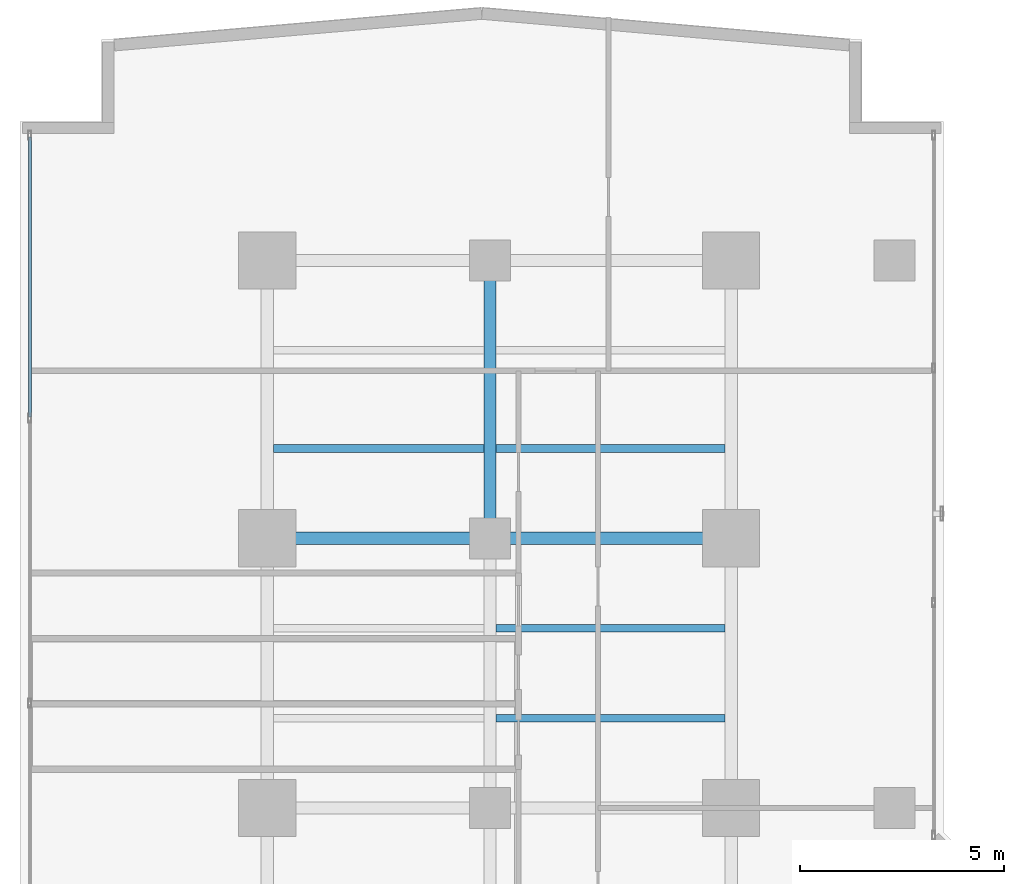
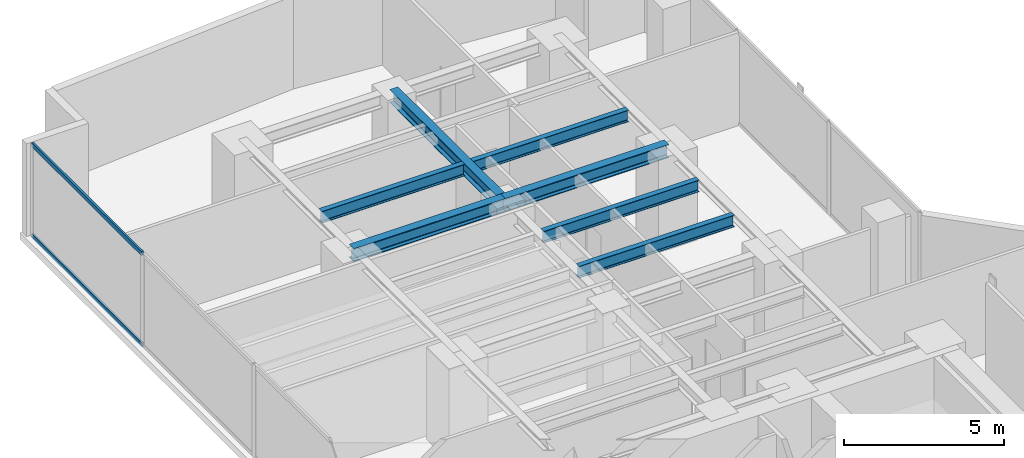
# One storey, part 14 of 26: 7 beams, 2 members, 1 element without a shape of its own.
"""IFC4 building model written with IfcOpenShell, lengths in metres."""

import ifcopenshell
import ifcopenshell.guid

model = None  # the IFC model being written
_history = None  # IfcOwnerHistory: only IFC2X3 demands one
_inside = {}  # id of a spatial element -> (the spatial element, [elements in it])
_under = {}  # id of a project, library or spatial element -> (it, [spatial elements below it])
_declared = {}  # id of a project -> (the project, [libraries it declares])
_typed = {}  # id of a type object -> (the type object, [elements of that type])
_made_of = {}  # id of a material, layer set ... -> (it, [elements and type objects made of it])


def new_model(schema):
    """Start an empty IFC model of exactly this schema.

    Asked for "IFC4X3", IfcOpenShell would pick the latest addendum, in which some entities
    have other attributes; the version numbers below select the first issue.
    IFC2X3 requires an IfcOwnerHistory on every rooted entity: one is made here for all.
    """
    global model, _history
    if schema == "IFC4X3":
        model = ifcopenshell.file(schema_version=(4, 3, 0, 0))
    else:
        model = ifcopenshell.file(schema=schema)
    _inside.clear()
    _under.clear()
    _declared.clear()
    _typed.clear()
    _made_of.clear()
    _history = None
    if model.schema == "IFC2X3":
        org = make("IfcOrganization", Name="unknown")
        user = make(
            "IfcPersonAndOrganization",
            ThePerson=make("IfcPerson", FamilyName="unknown"),
            TheOrganization=org,
        )
        app = make(
            "IfcApplication",
            ApplicationDeveloper=org,
            Version="unknown",
            ApplicationFullName="unknown",
            ApplicationIdentifier="unknown",
        )
        _history = make(
            "IfcOwnerHistory",
            OwningUser=user,
            OwningApplication=app,
            ChangeAction="ADDED",
            CreationDate=0,
        )
    return model


def make(cls, **values):
    """One entity of the class cls with the attributes given. An attribute that is None is left unset."""
    return model.create_entity(
        cls, **{name: value for name, value in values.items() if value is not None}
    )


def rooted(cls, **values):
    """An entity with a GlobalId (a new one), such as an element, a storey or a relation."""
    return make(cls, GlobalId=ifcopenshell.guid.new(), OwnerHistory=_history, **values)


def si_unit(unit_type, name, prefix=None):
    """IfcSIUnit, for example si_unit("LENGTHUNIT", "METRE", prefix="MILLI")."""
    return make("IfcSIUnit", UnitType=unit_type, Prefix=prefix, Name=name)


def assignment(units):
    """IfcUnitAssignment: the units of a project."""
    return None if units is None else make("IfcUnitAssignment", Units=units)


def point(xyz):
    """IfcCartesianPoint."""
    return None if xyz is None else make("IfcCartesianPoint", Coordinates=xyz)


def direction(xyz):
    """IfcDirection."""
    return None if xyz is None else make("IfcDirection", DirectionRatios=xyz)


def frame(location, z_axis=None, x_axis=None):
    """IfcAxis2Placement3D, a coordinate frame: its origin and axes. An axis left out is left unset."""
    return make(
        "IfcAxis2Placement3D",
        Location=point(location),
        Axis=direction(z_axis),
        RefDirection=direction(x_axis),
    )


def frame_2d(location, x_axis=None):
    """IfcAxis2Placement2D, a coordinate frame in the plane: its origin and x axis."""
    return make(
        "IfcAxis2Placement2D", Location=point(location), RefDirection=direction(x_axis)
    )


def origin():
    """The frame at (0, 0, 0) with its axes left unset."""
    return frame((0.0, 0.0, 0.0))


def origin_with_axes():
    """The frame at (0, 0, 0) with the z axis (0, 0, 1) and the x axis (1, 0, 0) written out."""
    return frame((0.0, 0.0, 0.0), z_axis=(0.0, 0.0, 1.0), x_axis=(1.0, 0.0, 0.0))


def origin_2d():
    """The frame at (0, 0) in the plane with its x axis left unset."""
    return frame_2d((0.0, 0.0))


def place(relative_to, where):
    """IfcLocalPlacement: puts the frame where relative to a parent placement (None: the world)."""
    return make(
        "IfcLocalPlacement", PlacementRelTo=relative_to, RelativePlacement=where
    )


def context(
    kind, dimensions, precision=None, world=None, true_north=None, identifier=None
):
    """IfcGeometricRepresentationContext, for example the 3D "Model" context."""
    return make(
        "IfcGeometricRepresentationContext",
        ContextIdentifier=identifier,
        ContextType=kind,
        CoordinateSpaceDimension=dimensions,
        Precision=precision,
        WorldCoordinateSystem=world,
        TrueNorth=true_north,
    )


def subcontext(parent, identifier, kind, view, scale=None):
    """IfcGeometricRepresentationSubContext, for example "Body" below "Model"."""
    return make(
        "IfcGeometricRepresentationSubContext",
        ContextIdentifier=identifier,
        ContextType=kind,
        ParentContext=parent,
        TargetScale=scale,
        TargetView=view,
    )


def project(units=None, contexts=None):
    """IfcProject with its units and contexts."""
    return rooted(
        "IfcProject",
        Name="project",
        RepresentationContexts=contexts,
        UnitsInContext=assignment(units),
    )


def spatial(cls, under=None, at=None, **own):
    """A site, building, storey or space (cls), placed at a placement, below another one or the project."""
    s = rooted(cls, ObjectPlacement=at, **own)
    if under is not None:
        _under.setdefault(under.id(), (under, []))[1].append(s)
    return s


def profile(cls, at=None, kind="AREA", **sizes):
    """A parametric profile (cls). Its sizes go by their IFC names, for example OverallWidth=200.0."""
    return make(cls, ProfileType=kind, Position=at, **sizes)


def hollow_rectangle(**sizes):
    """IfcRectangleHollowProfileDef."""
    return profile("IfcRectangleHollowProfileDef", **sizes)


def i_section(**sizes):
    """IfcIShapeProfileDef."""
    return profile("IfcIShapeProfileDef", **sizes)


def extrude(swept, where, along, depth):
    """IfcExtrudedAreaSolid: the profile swept, set in the frame where, extruded along a direction by depth."""
    return make(
        "IfcExtrudedAreaSolid",
        SweptArea=swept,
        Position=where,
        ExtrudedDirection=direction(along),
        Depth=depth,
    )


def shape(context_of_items, identifier, shape_type, items):
    """IfcShapeRepresentation: the items that make up one representation, for example the "Body"."""
    return make(
        "IfcShapeRepresentation",
        ContextOfItems=context_of_items,
        RepresentationIdentifier=identifier,
        RepresentationType=shape_type,
        Items=items,
    )


def source(mapping_origin, context_of_items, identifier, shape_type, items):
    """IfcRepresentationMap: a shape defined once, which mapped items show again and again."""
    return make(
        "IfcRepresentationMap",
        MappingOrigin=mapping_origin,
        MappedRepresentation=shape(context_of_items, identifier, shape_type, items),
    )


def transform(
    local_origin,
    x_axis=None,
    y_axis=None,
    z_axis=None,
    scale=None,
    scale2=None,
    scale3=None,
    uniform=True,
):
    """IfcCartesianTransformationOperator3D, or its non-uniform kind. x_axis, y_axis, z_axis: its Axis1, 2, 3."""
    if uniform:
        return make(
            "IfcCartesianTransformationOperator3D",
            Axis1=direction(x_axis),
            Axis2=direction(y_axis),
            LocalOrigin=point(local_origin),
            Scale=scale,
            Axis3=direction(z_axis),
        )
    return make(
        "IfcCartesianTransformationOperator3DnonUniform",
        Axis1=direction(x_axis),
        Axis2=direction(y_axis),
        LocalOrigin=point(local_origin),
        Scale=scale,
        Axis3=direction(z_axis),
        Scale2=scale2,
        Scale3=scale3,
    )


def mapped(mapping_source, mapping_target):
    """IfcMappedItem: shows the shape of a source again, moved by a transform."""
    return make(
        "IfcMappedItem", MappingSource=mapping_source, MappingTarget=mapping_target
    )


def material(Name=None, Category=None):
    """IfcMaterial."""
    return make("IfcMaterial", Name=Name, Category=Category)


def layer(
    of_material, thickness, ventilated=None, Name=None, Category=None, Priority=None
):
    """IfcMaterialLayer: one layer of a wall or slab, of a material (None: an air gap)."""
    return make(
        "IfcMaterialLayer",
        Material=of_material,
        LayerThickness=thickness,
        IsVentilated=ventilated,
        Name=Name,
        Category=Category,
        Priority=Priority,
    )


def layer_set(layers, Name=None):
    """IfcMaterialLayerSet."""
    return make("IfcMaterialLayerSet", MaterialLayers=layers, LayerSetName=Name)


def material_profile(
    of_material, cross_section, Name=None, Category=None, Priority=None
):
    """IfcMaterialProfile: a cross section and its material."""
    return make(
        "IfcMaterialProfile",
        Name=Name,
        Material=of_material,
        Profile=cross_section,
        Priority=Priority,
        Category=Category,
    )


def profile_set(profiles, Name=None, composite=None):
    """IfcMaterialProfileSet."""
    return make(
        "IfcMaterialProfileSet",
        Name=Name,
        MaterialProfiles=profiles,
        CompositeProfile=composite,
    )


def made_of(thing, what):
    """Note that an element or type object is made of a material, layer set ...; save() writes the relation."""
    if what is not None:
        _made_of.setdefault(what.id(), (what, []))[1].append(thing)
    return thing


def type_object(cls, material=None, **own):
    """A type object (cls), such as IfcWallType, which elements share."""
    return made_of(rooted(cls, **own), material)


def element(
    cls,
    number,
    at=None,
    inside=None,
    cuts=None,
    type_object=None,
    material=None,
    context=None,
    identifier="Body",
    shape_type=None,
    held_by="IfcProductDefinitionShape",
    body=None,
    shapes=None,
    **own,
):
    """One element of the class cls, such as IfcWall. Its Tag is "e" and its number.

    at: its placement. inside: the storey or other place that contains it. cuts: it is an
    opening in that element (IfcRelVoidsElement). A single representation is given by context,
    identifier, shape_type and body (its items); several are given by shapes. held_by: the class
    of the entity that holds the representations. save() writes the other relations.
    """
    e = rooted(cls, Tag="e%d" % number, ObjectPlacement=at, **own)
    if body is not None:
        shapes = [shape(context, identifier, shape_type, body)]
    if shapes is not None:
        e.Representation = make(held_by, Representations=shapes)
    if inside is not None:
        _inside.setdefault(inside.id(), (inside, []))[1].append(e)
    if cuts is not None:
        rooted(
            "IfcRelVoidsElement", RelatingBuildingElement=cuts, RelatedOpeningElement=e
        )
    if type_object is not None:
        _typed.setdefault(type_object.id(), (type_object, []))[1].append(e)
    return made_of(e, material)


def aggregate(whole, parts):
    """IfcRelAggregates: a whole, such as a stair, and the parts it consists of."""
    return rooted("IfcRelAggregates", RelatingObject=whole, RelatedObjects=parts)


def save(model, path):
    """Write the relations noted so far, then the file.

    IfcRelAggregates (storeys below a building ...), IfcRelContainedInSpatialStructure (elements
    in a storey), IfcRelDefinesByType, IfcRelAssociatesMaterial and IfcRelDeclares: one each for
    every whole, place, type object, material and project.
    """
    for whole, parts in _under.values():
        aggregate(whole, parts)
    for where, things in _inside.values():
        rooted(
            "IfcRelContainedInSpatialStructure",
            RelatedElements=things,
            RelatingStructure=where,
        )
    for kind, things in _typed.values():
        rooted("IfcRelDefinesByType", RelatedObjects=things, RelatingType=kind)
    for what, things in _made_of.values():
        rooted("IfcRelAssociatesMaterial", RelatedObjects=things, RelatingMaterial=what)
    for by, libraries in _declared.values():
        rooted("IfcRelDeclares", RelatingContext=by, RelatedDefinitions=libraries)
    model.write(path)


model = new_model("IFC4")

# Units and contexts
model_context = context("Model", 3, precision=1e-05, world=origin(), true_north=direction((0.0, 1.0)))
body_context = subcontext(model_context, "Body", "Model", "MODEL_VIEW")
ifc_project = project(units=[si_unit("LENGTHUNIT", "METRE"), si_unit("AREAUNIT", "SQUARE_METRE"), si_unit("VOLUMEUNIT", "CUBIC_METRE"), si_unit("PLANEANGLEUNIT", "RADIAN"), si_unit("MASSUNIT", "GRAM", prefix="KILO")], contexts=[model_context])

# Site, building, storey
site_placement = place(None, origin())
site = spatial("IfcSite", under=ifc_project, at=site_placement, CompositionType="ELEMENT")
building_placement = place(site_placement, origin())
building = spatial("IfcBuilding", under=site, at=building_placement, Name="Kolvaren Waterfront Exchange", CompositionType="ELEMENT")
storey_placement = place(building_placement, frame((0.0, 0.0, 87.89990234375)))
storey = spatial("IfcBuildingStorey", under=building, at=storey_placement, Name="L22", CompositionType="ELEMENT", Elevation=87.89990234375)

# Beams
ifc_material_1 = material(Name="Steel S355", Category="steel")
ifc_material_profile_1 = material_profile(ifc_material_1, i_section(OverallWidth=0.300048828125, OverallDepth=0.5, WebThickness=0.014404296875, FlangeThickness=0.028076171875, FilletRadius=0.027099609375, at=origin_2d()), Name="HEB500")
ifc_profile_set_1 = profile_set([ifc_material_profile_1], Name="Steel S355")
beam_type_1 = type_object("IfcBeamType", Name="STR-BM-HEB500", PredefinedType="BEAM", material=ifc_profile_set_1)
beam_1_placement = place(storey_placement, frame((7.449951171875, 37.800048828125, 3.2900390625), z_axis=(1.0, 0.0, 0.0), x_axis=(0.0, 1.0, 0.0)))
element("IfcBeam", 1, at=beam_1_placement, inside=storey, type_object=beam_type_1, Name="L22 north-arm girder 3A", PredefinedType="BEAM", context=body_context, shape_type="SweptSolid", body=[
    extrude(i_section(OverallWidth=0.300048828125, OverallDepth=0.5, WebThickness=0.014404296875, FlangeThickness=0.028076171875, FilletRadius=0.027099609375, at=origin_2d()), origin(), (0.0, 0.0, 1.0), 5.449951171875),
])
beam_2_placement = place(storey_placement, frame((12.89990234375, 37.800048828125, 3.2900390625), z_axis=(1.0, 0.0, 0.0), x_axis=(0.0, 1.0, 0.0)))
element("IfcBeam", 2, at=beam_2_placement, inside=storey, type_object=beam_type_1, Name="L22 north-arm girder 3B", PredefinedType="BEAM", context=body_context, shape_type="SweptSolid", body=[
    extrude(i_section(OverallWidth=0.300048828125, OverallDepth=0.5, WebThickness=0.014404296875, FlangeThickness=0.028076171875, FilletRadius=0.027099609375, at=origin_2d()), origin(), (0.0, 0.0, 1.0), 5.900146484375),
])
beam_3_placement = place(storey_placement, frame((12.89990234375, 37.800048828125, 3.2900390625), z_axis=(0.0, 1.0, 0.0), x_axis=(-1.0, 0.0, 0.0)))
element("IfcBeam", 3, at=beam_3_placement, inside=storey, type_object=beam_type_1, Name="L22 north-arm edge beam 3", PredefinedType="BEAM", context=body_context, shape_type="SweptSolid", body=[
    extrude(i_section(OverallWidth=0.300048828125, OverallDepth=0.5, WebThickness=0.014404296875, FlangeThickness=0.028076171875, FilletRadius=0.027099609375, at=origin_2d()), origin(), (0.0, 0.0, 1.0), 6.800048828125),
])
ifc_material_profile_2 = material_profile(ifc_material_1, i_section(OverallWidth=0.18994140625, OverallDepth=0.449951171875, WebThickness=0.009521484375, FlangeThickness=0.0146484375, FilletRadius=0.02099609375, at=origin_2d()), Name="IPE450")
ifc_profile_set_2 = profile_set([ifc_material_profile_2], Name="Steel S355")
beam_type_2 = type_object("IfcBeamType", Name="STR-BM-IPE450", PredefinedType="JOIST", material=ifc_profile_set_2)
for number, where, z_axis, x_axis, name in (
    (4, (13.052001953125, 33.39990234375, 3.315185546875), (1.0, 0.0, 0.0), (0.0, 1.0, 0.0), "L22 north-arm composite joist 3B"),
    (5, (13.052001953125, 35.60009765625, 3.315185546875), (1.0, 0.0, 0.0), (0.0, 1.0, 0.0), "L22 north-arm composite joist 4B"),
):
    element("IfcBeam", number, at=place(storey_placement, frame(where, z_axis=z_axis, x_axis=x_axis)), inside=storey, type_object=beam_type_2, Name=name, PredefinedType="JOIST", context=body_context, shape_type="SweptSolid", body=[
        extrude(i_section(OverallWidth=0.18994140625, OverallDepth=0.449951171875, WebThickness=0.009521484375, FlangeThickness=0.0146484375, FilletRadius=0.02099609375, at=origin_2d()), origin(), (0.0, 0.0, 1.0), 5.595947265625),
    ])
beam_4_placement = place(storey_placement, frame((7.60205078125, 40.0, 3.315185546875), z_axis=(1.0, 0.0, 0.0), x_axis=(0.0, 1.0, 0.0)))
element("IfcBeam", 6, at=beam_4_placement, inside=storey, type_object=beam_type_2, Name="L22 north-arm composite joist 5A", PredefinedType="JOIST", context=body_context, shape_type="SweptSolid", body=[
    extrude(i_section(OverallWidth=0.18994140625, OverallDepth=0.449951171875, WebThickness=0.009521484375, FlangeThickness=0.0146484375, FilletRadius=0.02099609375, at=origin_2d()), origin(), (0.0, 0.0, 1.0), 5.14599609375),
])
beam_5_placement = place(storey_placement, frame((13.052001953125, 40.0, 3.315185546875), z_axis=(1.0, 0.0, 0.0), x_axis=(0.0, 1.0, 0.0)))
element("IfcBeam", 7, at=beam_5_placement, inside=storey, type_object=beam_type_2, Name="L22 north-arm composite joist 5B", PredefinedType="JOIST", context=body_context, shape_type="SweptSolid", body=[
    extrude(i_section(OverallWidth=0.18994140625, OverallDepth=0.449951171875, WebThickness=0.009521484375, FlangeThickness=0.0146484375, FilletRadius=0.02099609375, at=origin_2d()), origin(), (0.0, 0.0, 1.0), 5.595947265625),
])

# Curtain wall, members
ifc_material_2 = material(Name="Anodised aluminium 6063-T6", Category="aluminium")
ifc_layer = layer(ifc_material_2, 0.219970703125, Name="Anodised aluminium 6063-T6")
ifc_layer_set = layer_set([ifc_layer], Name="Anodised aluminium 6063-T6")
curtain_wall_type = type_object("IfcCurtainWallType", Name="ARC-CW-SYS2", PredefinedType="USERDEFINED", material=ifc_layer_set)
curtain_wall_placement = place(storey_placement, origin())
curtain_wall = element("IfcCurtainWall", 8, at=curtain_wall_placement, inside=storey, type_object=curtain_wall_type, Name="L22 stick curtain wall CW2 (CW-L22-W)", ObjectType="STICK CURTAIN WALL", PredefinedType="USERDEFINED")
ifc_material_profile_3 = material_profile(ifc_material_2, hollow_rectangle(XDim=0.074951171875, YDim=0.159912109375, WallThickness=0.00439453125, at=origin_2d()), Name="ALU-TRN-160x75x4.5")
ifc_profile_set_3 = profile_set([ifc_material_profile_3], Name="Anodised aluminium 6063-T6")
member_type = type_object("IfcMemberType", Name="ARC-CWT-160", PredefinedType="USERDEFINED", material=ifc_profile_set_3)
shared_shape = source(origin_with_axes(), body_context, "Body", "SweptSolid", [
    extrude(hollow_rectangle(XDim=0.074951171875, YDim=0.159912109375, WallThickness=0.00439453125, at=origin_2d()), origin(), (0.0, 0.0, 1.0), 6.8466796875),
])
member_1_placement = place(storey_placement, frame((1.639892578125, 40.7734375, 0.03759765625), z_axis=(0.0, 1.0, 0.0), x_axis=(-1.0, 0.0, 0.0)))
member_1 = element("IfcMember", 9, at=member_1_placement, type_object=member_type, Name="CW2 transom 6.1", ObjectType="TRANSOM", PredefinedType="USERDEFINED", context=body_context, shape_type="MappedRepresentation", body=[
    mapped(shared_shape, transform((0.0, 0.0, 0.0), x_axis=(1.0, 0.0, 0.0), y_axis=(0.0, 1.0, 0.0), z_axis=(0.0, 0.0, 1.0), scale=1.0)),
])
member_2_placement = place(storey_placement, frame((1.639892578125, 40.7734375, 3.502685546875), z_axis=(0.0, 1.0, 0.0), x_axis=(-1.0, 0.0, 0.0)))
member_2 = element("IfcMember", 10, at=member_2_placement, type_object=member_type, Name="CW2 transom 6.2", ObjectType="TRANSOM", PredefinedType="USERDEFINED", context=body_context, shape_type="MappedRepresentation", body=[
    mapped(shared_shape, transform((0.0, 0.0, 0.0), x_axis=(1.0, 0.0, 0.0), y_axis=(0.0, 1.0, 0.0), z_axis=(0.0, 0.0, 1.0), scale=1.0)),
])
aggregate(curtain_wall, [member_1, member_2])

save(model, "model.ifc")
